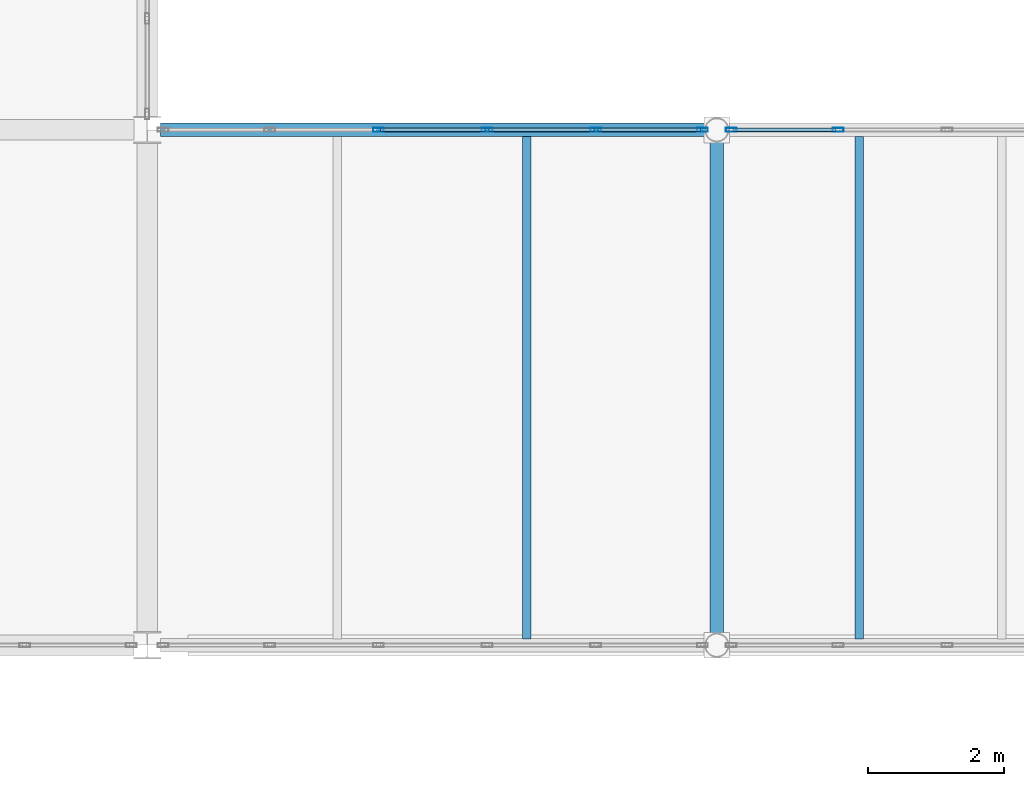
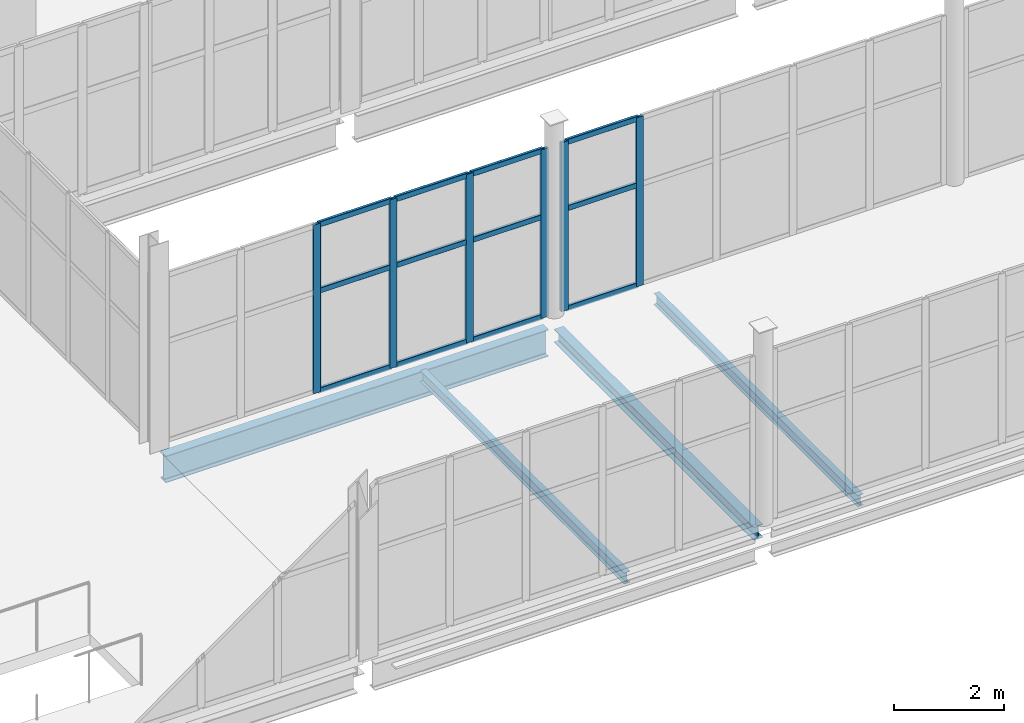
# One storey, part 44 of 172: 18 members, 4 beams, 2 elements without a shape of their own.
"""IFC4 building model written with IfcOpenShell, lengths in metres."""

from ifc_helpers import new_model, si_unit, direction, frame, origin, origin_2d, place, context, subcontext, project, spatial, hollow_rectangle, i_section, extrude, material, material_profile, profile_set, type_object, element, aggregate, save


model = new_model("IFC4")

# Units and contexts
model_context = context("Model", 3, precision=1e-05, world=origin(), true_north=direction((0.0, 1.0)))
body_context = subcontext(model_context, "Body", "Model", "MODEL_VIEW")
ifc_project = project(units=[si_unit("LENGTHUNIT", "METRE"), si_unit("AREAUNIT", "SQUARE_METRE"), si_unit("VOLUMEUNIT", "CUBIC_METRE"), si_unit("PLANEANGLEUNIT", "RADIAN"), si_unit("MASSUNIT", "GRAM", prefix="KILO")], contexts=[model_context])

# Site, building, storey
site_placement = place(None, origin())
site = spatial("IfcSite", under=ifc_project, at=site_placement, CompositionType="ELEMENT")
building_placement = place(site_placement, origin())
building = spatial("IfcBuilding", under=site, at=building_placement, Name="Shengluoqiao Park Theatre", CompositionType="ELEMENT")
storey_placement = place(building_placement, frame((0.0, 0.0, 5.39990234375)))
storey = spatial("IfcBuildingStorey", under=building, at=storey_placement, Name="L01", CompositionType="ELEMENT", Elevation=5.39990234375)

# Curtain wall, members
ifc_material_1 = material(Name="Aluminium 6063-T6", Category="aluminium")
curtain_wall_type = type_object("IfcCurtainWallType", Name="ENV-CW-BRIDGE", PredefinedType="NOTDEFINED", material=ifc_material_1)
curtain_wall_1_placement = place(storey_placement, origin())
curtain_wall_1 = element("IfcCurtainWall", 1, at=curtain_wall_1_placement, inside=storey, type_object=curtain_wall_type, Name="L01 Curtain Wall CWX-L01-0136", PredefinedType="NOTDEFINED")
ifc_material_profile_1 = material_profile(ifc_material_1, hollow_rectangle(XDim=0.06005859375, YDim=0.159912109375, WallThickness=0.00390625, InnerFilletRadius=0.00390625, OuterFilletRadius=0.008056640625, at=origin_2d()), Name="ALU MULLION 160x60x4")
ifc_profile_set_1 = profile_set([ifc_material_profile_1], Name="Aluminium 6063-T6")
member_type_1 = type_object("IfcMemberType", Name="ENV-MUL-160", PredefinedType="MULLION", material=ifc_profile_set_1)
member_1_placement = place(storey_placement, frame((47.8095703125, 60.800048828125, 0.0), z_axis=(0.0, 0.0, 1.0), x_axis=(0.0, 1.0, 0.0)))
member_1 = element("IfcMember", 2, at=member_1_placement, type_object=member_type_1, Name="CW-03 mullion 3", PredefinedType="MULLION", context=body_context, shape_type="SweptSolid", body=[
    extrude(hollow_rectangle(XDim=0.06005859375, YDim=0.159912109375, WallThickness=0.00390625, InnerFilletRadius=0.00390625, OuterFilletRadius=0.008056640625, at=origin_2d()), origin(), (0.0, 0.0, 1.0), 3.7421875),
])
member_2_placement = place(storey_placement, frame((49.412353515625, 60.800048828125, 0.0), z_axis=(0.0, 0.0, 1.0), x_axis=(0.0, 1.0, 0.0)))
member_2 = element("IfcMember", 3, at=member_2_placement, type_object=member_type_1, Name="CW-03 mullion 4", PredefinedType="MULLION", context=body_context, shape_type="SweptSolid", body=[
    extrude(hollow_rectangle(XDim=0.06005859375, YDim=0.159912109375, WallThickness=0.00390625, InnerFilletRadius=0.00390625, OuterFilletRadius=0.008056640625, at=origin_2d()), origin(), (0.0, 0.0, 1.0), 3.7421875),
])
member_3_placement = place(storey_placement, frame((51.01513671875, 60.800048828125, 0.0), z_axis=(0.0, 0.0, 1.0), x_axis=(0.0, 1.0, 0.0)))
member_3 = element("IfcMember", 4, at=member_3_placement, type_object=member_type_1, Name="CW-03 mullion 5", PredefinedType="MULLION", context=body_context, shape_type="SweptSolid", body=[
    extrude(hollow_rectangle(XDim=0.06005859375, YDim=0.159912109375, WallThickness=0.00390625, InnerFilletRadius=0.00390625, OuterFilletRadius=0.008056640625, at=origin_2d()), origin(), (0.0, 0.0, 1.0), 3.7421875),
])
member_4_placement = place(storey_placement, frame((52.587890625, 60.800048828125, 0.0), z_axis=(0.0, 0.0, 1.0), x_axis=(0.0, 1.0, 0.0)))
member_4 = element("IfcMember", 5, at=member_4_placement, type_object=member_type_1, Name="CW-03 mullion 6", PredefinedType="MULLION", context=body_context, shape_type="SweptSolid", body=[
    extrude(hollow_rectangle(XDim=0.06005859375, YDim=0.159912109375, WallThickness=0.00390625, InnerFilletRadius=0.00390625, OuterFilletRadius=0.008056640625, at=origin_2d()), origin(), (0.0, 0.0, 1.0), 3.7421875),
])

curtain_wall_2_placement = place(storey_placement, origin())
curtain_wall_2 = element("IfcCurtainWall", 6, at=curtain_wall_2_placement, inside=storey, type_object=curtain_wall_type, Name="L01 Curtain Wall CWX-L01-0137", PredefinedType="NOTDEFINED")
member_5_placement = place(storey_placement, frame((53.011962890625, 60.800048828125, 0.0), z_axis=(0.0, 0.0, 1.0), x_axis=(0.0, 1.0, 0.0)))
member_5 = element("IfcMember", 7, at=member_5_placement, type_object=member_type_1, Name="CW-03 mullion 1", PredefinedType="MULLION", context=body_context, shape_type="SweptSolid", body=[
    extrude(hollow_rectangle(XDim=0.06005859375, YDim=0.159912109375, WallThickness=0.00390625, InnerFilletRadius=0.00390625, OuterFilletRadius=0.008056640625, at=origin_2d()), origin(), (0.0, 0.0, 1.0), 3.752197265625),
])
member_6_placement = place(storey_placement, frame((54.589111328125, 60.800048828125, 0.0), z_axis=(0.0, 0.0, 1.0), x_axis=(0.0, 1.0, 0.0)))
member_6 = element("IfcMember", 8, at=member_6_placement, type_object=member_type_1, Name="CW-03 mullion 2", PredefinedType="MULLION", context=body_context, shape_type="SweptSolid", body=[
    extrude(hollow_rectangle(XDim=0.06005859375, YDim=0.159912109375, WallThickness=0.00390625, InnerFilletRadius=0.00390625, OuterFilletRadius=0.008056640625, at=origin_2d()), origin(), (0.0, 0.0, 1.0), 3.752197265625),
])

# Member
ifc_material_profile_2 = material_profile(ifc_material_1, hollow_rectangle(XDim=0.06005859375, YDim=0.1201171875, WallThickness=0.00390625, InnerFilletRadius=0.00390625, OuterFilletRadius=0.008056640625, at=origin_2d()), Name="ALU TRANSOM 120x60x4")
ifc_profile_set_2 = profile_set([ifc_material_profile_2], Name="Aluminium 6063-T6")
member_type_2 = type_object("IfcMemberType", Name="ENV-TRN-120", PredefinedType="USERDEFINED", material=ifc_profile_set_2)
member_7_placement = place(storey_placement, frame((47.839599609375, 60.800048828125, 0.030029296875), z_axis=(1.0, 0.0, 0.0), x_axis=(0.0, 1.0, 0.0)))
member_7 = element("IfcMember", 9, at=member_7_placement, type_object=member_type_2, Name="CW-03 transom 3.1", ObjectType="TRANSOM", PredefinedType="USERDEFINED", context=body_context, shape_type="SweptSolid", body=[
    extrude(hollow_rectangle(XDim=0.06005859375, YDim=0.1201171875, WallThickness=0.00390625, InnerFilletRadius=0.00390625, OuterFilletRadius=0.008056640625, at=origin_2d()), origin(), (0.0, 0.0, 1.0), 1.542724609375),
])

member_8_placement = place(storey_placement, frame((47.839599609375, 60.800048828125, 2.2451171875), z_axis=(1.0, 0.0, 0.0), x_axis=(0.0, 1.0, 0.0)))
member_8 = element("IfcMember", 10, at=member_8_placement, type_object=member_type_2, Name="CW-03 transom 3.2", ObjectType="TRANSOM", PredefinedType="USERDEFINED", context=body_context, shape_type="SweptSolid", body=[
    extrude(hollow_rectangle(XDim=0.06005859375, YDim=0.1201171875, WallThickness=0.00390625, InnerFilletRadius=0.00390625, OuterFilletRadius=0.008056640625, at=origin_2d()), origin(), (0.0, 0.0, 1.0), 1.542724609375),
])

member_9_placement = place(storey_placement, frame((47.839599609375, 60.800048828125, 3.712158203125), z_axis=(1.0, 0.0, 0.0), x_axis=(0.0, 1.0, 0.0)))
member_9 = element("IfcMember", 11, at=member_9_placement, type_object=member_type_2, Name="CW-03 transom 3.3", ObjectType="TRANSOM", PredefinedType="USERDEFINED", context=body_context, shape_type="SweptSolid", body=[
    extrude(hollow_rectangle(XDim=0.06005859375, YDim=0.1201171875, WallThickness=0.00390625, InnerFilletRadius=0.00390625, OuterFilletRadius=0.008056640625, at=origin_2d()), origin(), (0.0, 0.0, 1.0), 1.542724609375),
])

member_10_placement = place(storey_placement, frame((49.4423828125, 60.800048828125, 0.030029296875), z_axis=(1.0, 0.0, 0.0), x_axis=(0.0, 1.0, 0.0)))
member_10 = element("IfcMember", 12, at=member_10_placement, type_object=member_type_2, Name="CW-03 transom 4.1", ObjectType="TRANSOM", PredefinedType="USERDEFINED", context=body_context, shape_type="SweptSolid", body=[
    extrude(hollow_rectangle(XDim=0.06005859375, YDim=0.1201171875, WallThickness=0.00390625, InnerFilletRadius=0.00390625, OuterFilletRadius=0.008056640625, at=origin_2d()), origin(), (0.0, 0.0, 1.0), 1.542724609375),
])

member_11_placement = place(storey_placement, frame((49.4423828125, 60.800048828125, 2.2451171875), z_axis=(1.0, 0.0, 0.0), x_axis=(0.0, 1.0, 0.0)))
member_11 = element("IfcMember", 13, at=member_11_placement, type_object=member_type_2, Name="CW-03 transom 4.2", ObjectType="TRANSOM", PredefinedType="USERDEFINED", context=body_context, shape_type="SweptSolid", body=[
    extrude(hollow_rectangle(XDim=0.06005859375, YDim=0.1201171875, WallThickness=0.00390625, InnerFilletRadius=0.00390625, OuterFilletRadius=0.008056640625, at=origin_2d()), origin(), (0.0, 0.0, 1.0), 1.542724609375),
])

member_12_placement = place(storey_placement, frame((49.4423828125, 60.800048828125, 3.712158203125), z_axis=(1.0, 0.0, 0.0), x_axis=(0.0, 1.0, 0.0)))
member_12 = element("IfcMember", 14, at=member_12_placement, type_object=member_type_2, Name="CW-03 transom 4.3", ObjectType="TRANSOM", PredefinedType="USERDEFINED", context=body_context, shape_type="SweptSolid", body=[
    extrude(hollow_rectangle(XDim=0.06005859375, YDim=0.1201171875, WallThickness=0.00390625, InnerFilletRadius=0.00390625, OuterFilletRadius=0.008056640625, at=origin_2d()), origin(), (0.0, 0.0, 1.0), 1.542724609375),
])

member_13_placement = place(storey_placement, frame((51.045166015625, 60.800048828125, 0.030029296875), z_axis=(1.0, 0.0, 0.0), x_axis=(0.0, 1.0, 0.0)))
member_13 = element("IfcMember", 15, at=member_13_placement, type_object=member_type_2, Name="CW-03 transom 5.1", ObjectType="TRANSOM", PredefinedType="USERDEFINED", context=body_context, shape_type="SweptSolid", body=[
    extrude(hollow_rectangle(XDim=0.06005859375, YDim=0.1201171875, WallThickness=0.00390625, InnerFilletRadius=0.00390625, OuterFilletRadius=0.008056640625, at=origin_2d()), origin(), (0.0, 0.0, 1.0), 1.512939453125),
])

member_14_placement = place(storey_placement, frame((51.045166015625, 60.800048828125, 2.2451171875), z_axis=(1.0, 0.0, 0.0), x_axis=(0.0, 1.0, 0.0)))
member_14 = element("IfcMember", 16, at=member_14_placement, type_object=member_type_2, Name="CW-03 transom 5.2", ObjectType="TRANSOM", PredefinedType="USERDEFINED", context=body_context, shape_type="SweptSolid", body=[
    extrude(hollow_rectangle(XDim=0.06005859375, YDim=0.1201171875, WallThickness=0.00390625, InnerFilletRadius=0.00390625, OuterFilletRadius=0.008056640625, at=origin_2d()), origin(), (0.0, 0.0, 1.0), 1.512939453125),
])

member_15_placement = place(storey_placement, frame((51.045166015625, 60.800048828125, 3.712158203125), z_axis=(1.0, 0.0, 0.0), x_axis=(0.0, 1.0, 0.0)))
member_15 = element("IfcMember", 17, at=member_15_placement, type_object=member_type_2, Name="CW-03 transom 5.3", ObjectType="TRANSOM", PredefinedType="USERDEFINED", context=body_context, shape_type="SweptSolid", body=[
    extrude(hollow_rectangle(XDim=0.06005859375, YDim=0.1201171875, WallThickness=0.00390625, InnerFilletRadius=0.00390625, OuterFilletRadius=0.008056640625, at=origin_2d()), origin(), (0.0, 0.0, 1.0), 1.512939453125),
])

aggregate(curtain_wall_1, [member_1, member_2, member_3, member_4, member_7, member_8, member_9, member_10, member_11, member_12, member_13, member_14, member_15])

member_16_placement = place(storey_placement, frame((53.0419921875, 60.800048828125, 0.030029296875), z_axis=(1.0, 0.0, 0.0), x_axis=(0.0, 1.0, 0.0)))
member_16 = element("IfcMember", 18, at=member_16_placement, type_object=member_type_2, Name="CW-03 transom 1.1", ObjectType="TRANSOM", PredefinedType="USERDEFINED", context=body_context, shape_type="SweptSolid", body=[
    extrude(hollow_rectangle(XDim=0.06005859375, YDim=0.1201171875, WallThickness=0.00390625, InnerFilletRadius=0.00390625, OuterFilletRadius=0.008056640625, at=origin_2d()), origin(), (0.0, 0.0, 1.0), 1.51708984375),
])

member_17_placement = place(storey_placement, frame((53.0419921875, 60.800048828125, 2.2509765625), z_axis=(1.0, 0.0, 0.0), x_axis=(0.0, 1.0, 0.0)))
member_17 = element("IfcMember", 19, at=member_17_placement, type_object=member_type_2, Name="CW-03 transom 1.2", ObjectType="TRANSOM", PredefinedType="USERDEFINED", context=body_context, shape_type="SweptSolid", body=[
    extrude(hollow_rectangle(XDim=0.06005859375, YDim=0.1201171875, WallThickness=0.00390625, InnerFilletRadius=0.00390625, OuterFilletRadius=0.008056640625, at=origin_2d()), origin(), (0.0, 0.0, 1.0), 1.51708984375),
])

member_18_placement = place(storey_placement, frame((53.0419921875, 60.800048828125, 3.72216796875), z_axis=(1.0, 0.0, 0.0), x_axis=(0.0, 1.0, 0.0)))
member_18 = element("IfcMember", 20, at=member_18_placement, type_object=member_type_2, Name="CW-03 transom 1.3", ObjectType="TRANSOM", PredefinedType="USERDEFINED", context=body_context, shape_type="SweptSolid", body=[
    extrude(hollow_rectangle(XDim=0.06005859375, YDim=0.1201171875, WallThickness=0.00390625, InnerFilletRadius=0.00390625, OuterFilletRadius=0.008056640625, at=origin_2d()), origin(), (0.0, 0.0, 1.0), 1.51708984375),
])

aggregate(curtain_wall_2, [member_5, member_6, member_16, member_17, member_18])

# Beams
ifc_material_2 = material(Name="Steel Q355", Category="steel")
ifc_material_profile_3 = material_profile(ifc_material_2, i_section(OverallWidth=0.199951171875, OverallDepth=0.2939453125, WebThickness=0.008056640625, FlangeThickness=0.011962890625, FilletRadius=0.01611328125, at=origin_2d()), Name="HM 294x200x8x12")
ifc_profile_set_3 = profile_set([ifc_material_profile_3], Name="Steel Q355")
beam_type_1 = type_object("IfcBeamType", Name="STR-BM-G-HM294", PredefinedType="BEAM", material=ifc_profile_set_3)
beam_1_placement = place(storey_placement, frame((52.800048828125, 53.3720703125, -0.35693359375), z_axis=(0.0, 1.0, 0.0), x_axis=(-1.0, 0.0, 0.0)))
element("IfcBeam", 21, at=beam_1_placement, inside=storey, type_object=beam_type_1, Name="L01 Transverse Girder 00587", PredefinedType="BEAM", context=body_context, shape_type="SweptSolid", body=[
    extrude(i_section(OverallWidth=0.199951171875, OverallDepth=0.2939453125, WebThickness=0.008056640625, FlangeThickness=0.011962890625, FilletRadius=0.01611328125, at=origin_2d()), origin(), (0.0, 0.0, 1.0), 7.255859375),
])
ifc_material_profile_4 = material_profile(ifc_material_2, i_section(OverallWidth=0.125, OverallDepth=0.25, WebThickness=0.006103515625, FlangeThickness=0.009033203125, FilletRadius=0.010009765625, at=origin_2d()), Name="HN 250x125x6x9")
ifc_profile_set_4 = profile_set([ifc_material_profile_4], Name="Steel Q355")
beam_type_2 = type_object("IfcBeamType", Name="STR-BM-J-HN250", PredefinedType="JOIST", material=ifc_profile_set_4)
for number, where, z_axis, x_axis, name in (
    (22, (50.0, 53.29443359375, -0.3349609375), (0.0, 1.0, 0.0), (-1.0, 0.0, 0.0), "L01 Composite Joist 00601"),
    (23, (54.89990234375, 53.29443359375, -0.3349609375), (0.0, 1.0, 0.0), (-1.0, 0.0, 0.0), "L01 Composite Joist 00602"),
):
    element("IfcBeam", number, at=place(storey_placement, frame(where, z_axis=z_axis, x_axis=x_axis)), inside=storey, type_object=beam_type_2, Name=name, PredefinedType="JOIST", context=body_context, shape_type="SweptSolid", body=[
        extrude(i_section(OverallWidth=0.125, OverallDepth=0.25, WebThickness=0.006103515625, FlangeThickness=0.009033203125, FilletRadius=0.010009765625, at=origin_2d()), origin(), (0.0, 0.0, 1.0), 7.4111328125),
    ])
ifc_material_profile_5 = material_profile(ifc_material_2, i_section(OverallWidth=0.198974609375, OverallDepth=0.595947265625, WebThickness=0.010009765625, FlangeThickness=0.014892578125, FilletRadius=0.02001953125, at=origin_2d()), Name="HN 596x199x10x15")
ifc_profile_set_5 = profile_set([ifc_material_profile_5], Name="Steel Q355")
beam_type_3 = type_object("IfcBeamType", Name="STR-BM-SP-HN596", PredefinedType="SPANDREL", material=ifc_profile_set_5)
beam_2_placement = place(storey_placement, frame((44.596435546875, 60.800048828125, -0.537841796875), z_axis=(1.0, 0.0, 0.0), x_axis=(0.0, 1.0, 0.0)))
element("IfcBeam", 24, at=beam_2_placement, inside=storey, type_object=beam_type_3, Name="L01 Primary Girder 00574", PredefinedType="SPANDREL", context=body_context, shape_type="SweptSolid", body=[
    extrude(i_section(OverallWidth=0.198974609375, OverallDepth=0.595947265625, WebThickness=0.010009765625, FlangeThickness=0.014892578125, FilletRadius=0.02001953125, at=origin_2d()), origin(), (0.0, 0.0, 1.0), 8.031494140625),
])

save(model, "model.ifc")
